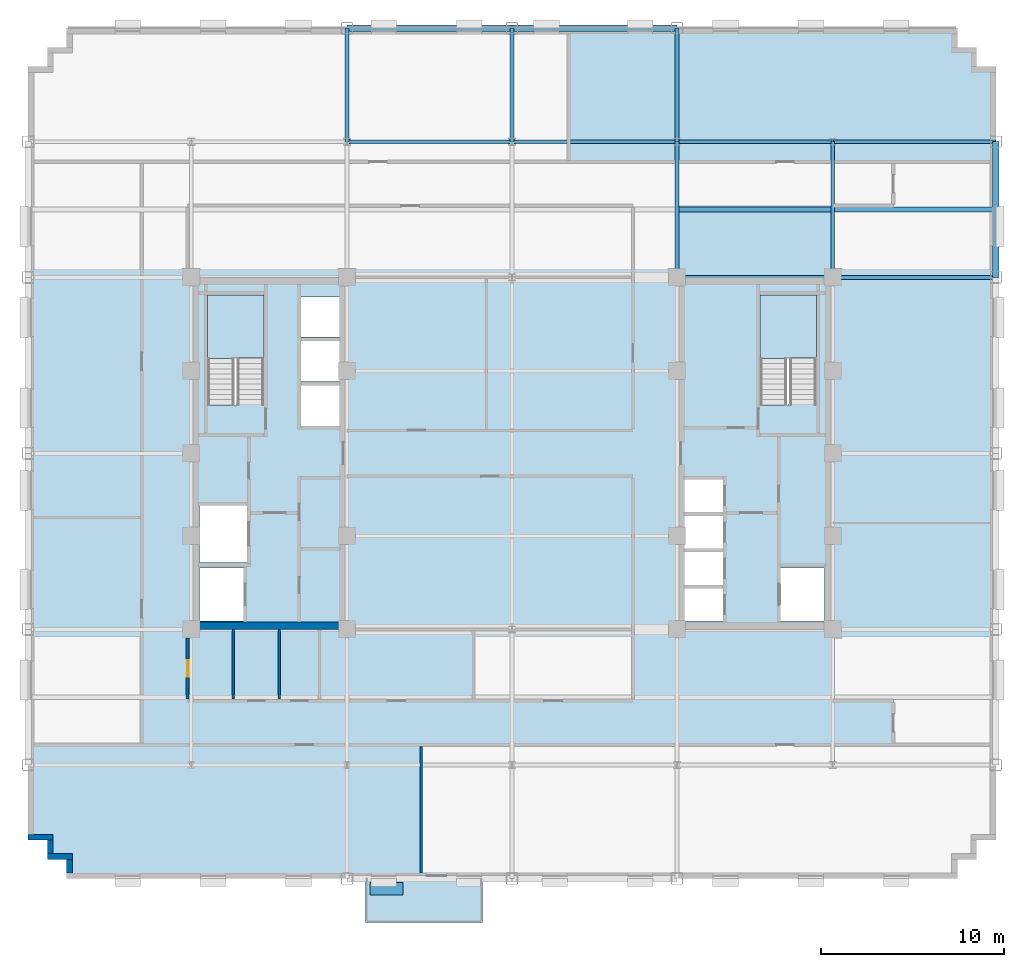
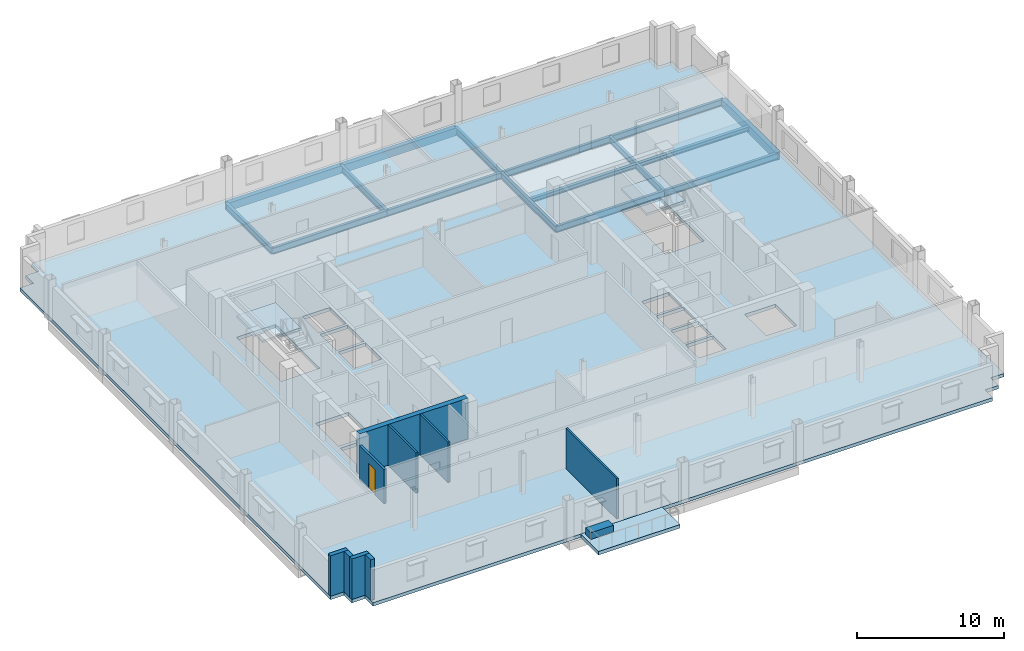
# One storey, part 5 of 14: 16 beams, 9 walls, 4 slabs, 1 door, 1 plate, 1 opening, 2 elements without a shape of their own.
"""IFC4 building model written with IfcOpenShell, lengths in metres."""

from ifc_helpers import new_model, si_unit, direction, frame, frame_2d, origin, origin_2d, place, context, subcontext, project, spatial, polyline, rectangle, i_section, outline, extrude, source, transform, mapped, material, layer, layer_set, material_profile, profile_set, type_object, type_shapes, element, fill, aggregate, save


model = new_model("IFC4")

# Units and contexts
model_context = context("Model", 3, precision=1e-05, world=origin(), true_north=direction((0.0, 1.0)))
body_context = subcontext(model_context, "Body", "Model", "MODEL_VIEW")
ifc_project = project(units=[si_unit("LENGTHUNIT", "METRE"), si_unit("AREAUNIT", "SQUARE_METRE"), si_unit("VOLUMEUNIT", "CUBIC_METRE"), si_unit("PLANEANGLEUNIT", "RADIAN"), si_unit("MASSUNIT", "GRAM", prefix="KILO")], contexts=[model_context])

# Site, building, storey
site_placement = place(None, origin())
site = spatial("IfcSite", under=ifc_project, at=site_placement, CompositionType="ELEMENT")
building_placement = place(site_placement, origin())
building = spatial("IfcBuilding", under=site, at=building_placement, Name="Nuvemarco Arch Tower", CompositionType="ELEMENT")
storey_placement = place(building_placement, frame((0.0, 0.0, 134.800048828125)))
storey = spatial("IfcBuildingStorey", under=building, at=storey_placement, Name="L35", CompositionType="ELEMENT", Elevation=134.800048828125)

# Beams
ifc_material_1 = material(Name="Steel S355", Category="steel")
ifc_material_profile_1 = material_profile(ifc_material_1, i_section(OverallWidth=0.2109375, OverallDepth=0.5390625, WebThickness=0.01171875, FlangeThickness=0.018798828125, FilletRadius=0.01611328125, at=origin_2d()), Name="W530x109")
ifc_profile_set_1 = profile_set([ifc_material_profile_1], Name="Steel S355")
beam_type_1 = type_object("IfcBeamType", Name="BM-GIRD-530", PredefinedType="BEAM", material=ifc_profile_set_1)
for number, where, z_axis, x_axis, name in (
    (1, (-9.0, 17.0, -0.549560546875), (0.0, 1.0, 0.0), (-1.0, 0.0, 0.0), "L35 structural beam BGNS_L35_0_-9.0_+17.0"),
    (2, (0.0, 17.0, -0.549560546875), (0.0, 1.0, 0.0), (-1.0, 0.0, 0.0), "L35 structural beam BGNS_L35_0_+0.0_+17.0"),
):
    element("IfcBeam", number, at=place(storey_placement, frame(where, z_axis=z_axis, x_axis=x_axis)), inside=storey, type_object=beam_type_1, Name=name, PredefinedType="BEAM", context=body_context, shape_type="SweptSolid", body=[
        extrude(i_section(OverallWidth=0.2109375, OverallDepth=0.5390625, WebThickness=0.01171875, FlangeThickness=0.018798828125, FilletRadius=0.01611328125, at=origin_2d()), origin(), (0.0, 0.0, 1.0), 6.199951171875),
    ])
beam_1_placement = place(storey_placement, frame((9.0, 9.60009765625, -0.549560546875), z_axis=(0.0, 1.0, 0.0), x_axis=(-1.0, 0.0, 0.0)))
element("IfcBeam", 3, at=beam_1_placement, inside=storey, type_object=beam_type_1, Name="L35 structural beam BGNS_L35_0_+9.0_+9.6", PredefinedType="BEAM", context=body_context, shape_type="SweptSolid", body=[
    extrude(i_section(OverallWidth=0.2109375, OverallDepth=0.5390625, WebThickness=0.01171875, FlangeThickness=0.018798828125, FilletRadius=0.01611328125, at=origin_2d()), origin(), (0.0, 0.0, 1.0), 7.39990234375),
])
beam_2_placement = place(storey_placement, frame((9.0, 17.0, -0.549560546875), z_axis=(0.0, 1.0, 0.0), x_axis=(-1.0, 0.0, 0.0)))
element("IfcBeam", 4, at=beam_2_placement, inside=storey, type_object=beam_type_1, Name="L35 structural beam BGNS_L35_0_+9.0_+17.0", PredefinedType="BEAM", context=body_context, shape_type="SweptSolid", body=[
    extrude(i_section(OverallWidth=0.2109375, OverallDepth=0.5390625, WebThickness=0.01171875, FlangeThickness=0.018798828125, FilletRadius=0.01611328125, at=origin_2d()), origin(), (0.0, 0.0, 1.0), 6.199951171875),
])
beam_3_placement = place(storey_placement, frame((17.5, 9.60009765625, -0.549560546875), z_axis=(0.0, 1.0, 0.0), x_axis=(-1.0, 0.0, 0.0)))
element("IfcBeam", 5, at=beam_3_placement, inside=storey, type_object=beam_type_1, Name="L35 structural beam BGNS_L35_0_+17.5_+9.6", PredefinedType="BEAM", context=body_context, shape_type="SweptSolid", body=[
    extrude(i_section(OverallWidth=0.2109375, OverallDepth=0.5390625, WebThickness=0.01171875, FlangeThickness=0.018798828125, FilletRadius=0.01611328125, at=origin_2d()), origin(), (0.0, 0.0, 1.0), 7.39990234375),
])
beam_4_placement = place(storey_placement, frame((9.0, 9.60009765625, -0.549560546875), z_axis=(1.0, 0.0, 0.0), x_axis=(0.0, 1.0, 0.0)))
element("IfcBeam", 6, at=beam_4_placement, inside=storey, type_object=beam_type_1, Name="L35 structural beam BGEW_L35_0_+9.6_+9.0", PredefinedType="BEAM", context=body_context, shape_type="SweptSolid", body=[
    extrude(i_section(OverallWidth=0.2109375, OverallDepth=0.5390625, WebThickness=0.01171875, FlangeThickness=0.018798828125, FilletRadius=0.01611328125, at=origin_2d()), origin(), (0.0, 0.0, 1.0), 8.5),
])
beam_5_placement = place(storey_placement, frame((17.5, 9.60009765625, -0.549560546875), z_axis=(1.0, 0.0, 0.0), x_axis=(0.0, 1.0, 0.0)))
element("IfcBeam", 7, at=beam_5_placement, inside=storey, type_object=beam_type_1, Name="L35 structural beam BGEW_L35_0_+9.6_+17.5", PredefinedType="BEAM", context=body_context, shape_type="SweptSolid", body=[
    extrude(i_section(OverallWidth=0.2109375, OverallDepth=0.5390625, WebThickness=0.01171875, FlangeThickness=0.018798828125, FilletRadius=0.01611328125, at=origin_2d()), origin(), (0.0, 0.0, 1.0), 8.89990234375),
])
for number, where, z_axis, x_axis, name in (
    (8, (-9.0, 17.0, -0.549560546875), (1.0, 0.0, 0.0), (0.0, 1.0, 0.0), "L35 structural beam BGEW_L35_0_+17.0_-9.0"),
    (9, (0.0, 17.0, -0.549560546875), (1.0, 0.0, 0.0), (0.0, 1.0, 0.0), "L35 structural beam BGEW_L35_0_+17.0_+0.0"),
):
    element("IfcBeam", number, at=place(storey_placement, frame(where, z_axis=z_axis, x_axis=x_axis)), inside=storey, type_object=beam_type_1, Name=name, PredefinedType="BEAM", context=body_context, shape_type="SweptSolid", body=[
        extrude(i_section(OverallWidth=0.2109375, OverallDepth=0.5390625, WebThickness=0.01171875, FlangeThickness=0.018798828125, FilletRadius=0.01611328125, at=origin_2d()), origin(), (0.0, 0.0, 1.0), 9.0),
    ])
beam_6_placement = place(storey_placement, frame((9.0, 17.0, -0.549560546875), z_axis=(1.0, 0.0, 0.0), x_axis=(0.0, 1.0, 0.0)))
element("IfcBeam", 10, at=beam_6_placement, inside=storey, type_object=beam_type_1, Name="L35 structural beam BGEW_L35_0_+17.0_+9.0", PredefinedType="BEAM", context=body_context, shape_type="SweptSolid", body=[
    extrude(i_section(OverallWidth=0.2109375, OverallDepth=0.5390625, WebThickness=0.01171875, FlangeThickness=0.018798828125, FilletRadius=0.01611328125, at=origin_2d()), origin(), (0.0, 0.0, 1.0), 8.5),
])
beam_7_placement = place(storey_placement, frame((17.5, 17.0, -0.549560546875), z_axis=(1.0, 0.0, 0.0), x_axis=(0.0, 1.0, 0.0)))
element("IfcBeam", 11, at=beam_7_placement, inside=storey, type_object=beam_type_1, Name="L35 structural beam BGEW_L35_0_+17.0_+17.5", PredefinedType="BEAM", context=body_context, shape_type="SweptSolid", body=[
    extrude(i_section(OverallWidth=0.2109375, OverallDepth=0.5390625, WebThickness=0.01171875, FlangeThickness=0.018798828125, FilletRadius=0.01611328125, at=origin_2d()), origin(), (0.0, 0.0, 1.0), 8.89990234375),
])
ifc_material_profile_2 = material_profile(ifc_material_1, i_section(OverallWidth=0.2548828125, OverallDepth=0.35693359375, WebThickness=0.010498046875, FlangeThickness=0.018310546875, FilletRadius=0.014892578125, at=origin_2d()), Name="W360x101")
ifc_profile_set_2 = profile_set([ifc_material_profile_2], Name="Steel S355")
beam_type_2 = type_object("IfcBeamType", Name="BM-JOIST-360H", PredefinedType="JOIST", material=ifc_profile_set_2)
beam_8_placement = place(storey_placement, frame((9.10546875, 13.300048828125, -0.45849609375), z_axis=(1.0, 0.0, 0.0), x_axis=(0.0, 1.0, 0.0)))
element("IfcBeam", 12, at=beam_8_placement, inside=storey, type_object=beam_type_2, Name="L35 structural beam BJ_L35_0_+13.3_+9.0", PredefinedType="JOIST", context=body_context, shape_type="SweptSolid", body=[
    extrude(i_section(OverallWidth=0.2548828125, OverallDepth=0.35693359375, WebThickness=0.010498046875, FlangeThickness=0.018310546875, FilletRadius=0.014892578125, at=origin_2d()), origin(), (0.0, 0.0, 1.0), 8.2890625),
])
beam_9_placement = place(storey_placement, frame((17.60546875, 13.300048828125, -0.45849609375), z_axis=(1.0, 0.0, 0.0), x_axis=(0.0, 1.0, 0.0)))
element("IfcBeam", 13, at=beam_9_placement, inside=storey, type_object=beam_type_2, Name="L35 structural beam BJ_L35_0_+13.3_+17.5", PredefinedType="JOIST", context=body_context, shape_type="SweptSolid", body=[
    extrude(i_section(OverallWidth=0.2548828125, OverallDepth=0.35693359375, WebThickness=0.010498046875, FlangeThickness=0.018310546875, FilletRadius=0.014892578125, at=origin_2d()), origin(), (0.0, 0.0, 1.0), 8.61962890625),
])
ifc_material_2 = material(Name="Precast concrete C45/55", Category="concrete")
ifc_material_profile_3 = material_profile(ifc_material_2, rectangle(XDim=0.35009765625, YDim=0.64990234375, at=origin_2d()), Name="PC-SP-350x650")
ifc_profile_set_3 = profile_set([ifc_material_profile_3], Name="Precast concrete C45/55")
beam_type_3 = type_object("IfcBeamType", Name="BM-SPAN-RC", PredefinedType="SPANDREL", material=ifc_profile_set_3)
beam_10_placement = place(storey_placement, frame((26.39990234375, 9.60009765625, -0.60498046875), z_axis=(0.0, 1.0, 0.0), x_axis=(-1.0, 0.0, 0.0)))
element("IfcBeam", 14, at=beam_10_placement, inside=storey, type_object=beam_type_3, Name="L35 structural beam BGNS_L35_0_+26.4_+9.6", PredefinedType="SPANDREL", context=body_context, shape_type="SweptSolid", body=[
    extrude(rectangle(XDim=0.35009765625, YDim=0.64990234375, at=origin_2d()), origin(), (0.0, 0.0, 1.0), 7.39990234375),
])
for number, where, z_axis, x_axis, name in (
    (15, (-9.0, 23.199951171875, -0.60498046875), (1.0, 0.0, 0.0), (0.0, 1.0, 0.0), "L35 structural beam BGEW_L35_0_+23.2_-9.0"),
    (16, (0.0, 23.199951171875, -0.60498046875), (1.0, 0.0, 0.0), (0.0, 1.0, 0.0), "L35 structural beam BGEW_L35_0_+23.2_+0.0"),
):
    element("IfcBeam", number, at=place(storey_placement, frame(where, z_axis=z_axis, x_axis=x_axis)), inside=storey, type_object=beam_type_3, Name=name, PredefinedType="SPANDREL", context=body_context, shape_type="SweptSolid", body=[
        extrude(rectangle(XDim=0.35009765625, YDim=0.64990234375, at=origin_2d()), origin(), (0.0, 0.0, 1.0), 9.0),
    ])

# Slab
ifc_material_3 = material(Name="Concrete C50/60", Category="concrete")
ifc_layer_1 = layer(ifc_material_3, 0.280029296875, Name="SL-FLR-280")
ifc_layer_set_1 = layer_set([ifc_layer_1], Name="Concrete C50/60")
slab_type_1 = type_object("IfcSlabType", Name="SL-FLR-280", PredefinedType="FLOOR", material=ifc_layer_set_1)
slab_1_placement = place(storey_placement, frame((0.0, 0.0, -0.280029296875)))
element("IfcSlab", 17, at=slab_1_placement, inside=storey, type_object=slab_type_1, Name="L35 structural floor slab", PredefinedType="FLOOR", context=body_context, shape_type="SweptSolid", body=[
    extrude(outline(polyline([(-24.300048828125, -23.199951171875), (24.300048828125, -23.199951171875), (24.300048828125, -22.14990234375), (25.35009765625, -22.14990234375), (25.35009765625, -21.10009765625), (26.39990234375, -21.10009765625), (26.39990234375, 21.10009765625), (25.35009765625, 21.10009765625), (25.35009765625, 22.14990234375), (24.300048828125, 22.14990234375), (24.300048828125, 23.199951171875), (-24.300048828125, 23.199951171875), (-24.300048828125, 22.14990234375), (-25.35009765625, 22.14990234375), (-25.35009765625, 21.10009765625), (-26.39990234375, 21.10009765625), (-26.39990234375, -21.10009765625), (-25.35009765625, -21.10009765625), (-25.35009765625, -22.14990234375), (-24.300048828125, -22.14990234375), (-24.300048828125, -23.199951171875)]), holes=[polyline([(-13.5400390625, 2.669921875), (-13.5400390625, 8.64990234375), (-16.60009765625, 8.64990234375), (-16.60009765625, 2.630615234375), (-15.070068359375, 2.630615234375), (-15.070068359375, 2.669921875), (-13.5400390625, 2.669921875)]), polyline([(16.60009765625, 2.669921875), (16.60009765625, 8.64990234375), (13.5400390625, 8.64990234375), (13.5400390625, 2.630615234375), (15.070068359375, 2.630615234375), (15.070068359375, 2.669921875), (16.60009765625, 2.669921875)]), polyline([(-17.050048828125, -9.14990234375), (-14.64990234375, -9.14990234375), (-14.64990234375, -6.25), (-17.050048828125, -6.25), (-17.050048828125, -9.14990234375)]), polyline([(-17.050048828125, -5.949951171875), (-14.449951171875, -5.949951171875), (-14.449951171875, -2.85009765625), (-17.050048828125, -2.85009765625), (-17.050048828125, -5.949951171875)]), polyline([(-11.5, 1.5), (-9.35009765625, 1.5), (-9.35009765625, 3.699951171875), (-11.5, 3.699951171875), (-11.5, 1.5)]), polyline([(-11.5, 3.919921875), (-9.35009765625, 3.919921875), (-9.35009765625, 6.1201171875), (-11.5, 6.1201171875), (-11.5, 3.919921875)]), polyline([(-11.5, 6.340087890625), (-9.35009765625, 6.340087890625), (-9.35009765625, 8.5400390625), (-11.5, 8.5400390625), (-11.5, 6.340087890625)]), polyline([(14.64990234375, -9.14990234375), (17.050048828125, -9.14990234375), (17.050048828125, -6.25), (14.64990234375, -6.25), (14.64990234375, -9.14990234375)]), polyline([(9.35009765625, -9.14990234375), (11.5, -9.14990234375), (11.5, -7.3701171875), (9.35009765625, -7.3701171875), (9.35009765625, -9.14990234375)]), polyline([(9.35009765625, -7.169921875), (11.5, -7.169921875), (11.5, -5.389892578125), (9.35009765625, -5.389892578125), (9.35009765625, -7.169921875)]), polyline([(9.35009765625, -5.18994140625), (11.5, -5.18994140625), (11.5, -3.409912109375), (9.35009765625, -3.409912109375), (9.35009765625, -5.18994140625)]), polyline([(9.35009765625, -3.2099609375), (11.5, -3.2099609375), (11.5, -1.429931640625), (9.35009765625, -1.429931640625), (9.35009765625, -3.2099609375)])]), origin(), (0.0, 0.0, 1.0), 0.280029296875),
])

# Stair, slab
stair_type = type_object("IfcStairType", Name="ST-CORE-20R", PredefinedType="HALF_TURN_STAIR", material=ifc_material_2)
stair_1_placement = place(storey_placement, origin())
stair_1 = element("IfcStair", 18, at=stair_1_placement, inside=storey, type_object=stair_type, Name="L35 Protected Exit Stair ST-1", PredefinedType="HALF_TURN_STAIR")
ifc_layer_2 = layer(ifc_material_2, 0.199951171875, Name="SL-LANDING-200")
ifc_layer_set_2 = layer_set([ifc_layer_2], Name="Precast concrete C45/55")
slab_type_2 = type_object("IfcSlabType", Name="SL-LANDING-200", PredefinedType="LANDING", material=ifc_layer_set_2)
slab_2_placement = place(storey_placement, frame((0.0, 0.0, 1.625)))
slab_2 = element("IfcSlab", 19, at=slab_2_placement, type_object=slab_type_2, Name="ST-20R landing 1", PredefinedType="LANDING", context=body_context, shape_type="SweptSolid", body=[
    extrude(outline(polyline([(-13.5400390625, 5.189453125), (-13.5400390625, 8.64990234375), (-16.60009765625, 8.64990234375), (-16.60009765625, 5.169921875), (-15.070068359375, 5.169921875), (-15.070068359375, 5.189453125), (-13.5400390625, 5.189453125)])), origin(), (0.0, 0.0, 1.0), 0.199951171875),
])
aggregate(stair_1, [slab_2])

stair_2_placement = place(storey_placement, origin())
stair_2 = element("IfcStair", 20, at=stair_2_placement, inside=storey, type_object=stair_type, Name="L35 Protected Exit Stair ST-2", PredefinedType="HALF_TURN_STAIR")
slab_3_placement = place(storey_placement, frame((0.0, 0.0, 1.625)))
slab_3 = element("IfcSlab", 21, at=slab_3_placement, type_object=slab_type_2, Name="ST-20R landing 1", PredefinedType="LANDING", context=body_context, shape_type="SweptSolid", body=[
    extrude(outline(polyline([(16.60009765625, 5.189453125), (16.60009765625, 8.64990234375), (13.5400390625, 8.64990234375), (13.5400390625, 5.169921875), (15.070068359375, 5.169921875), (15.070068359375, 5.189453125), (16.60009765625, 5.189453125)])), origin(), (0.0, 0.0, 1.0), 0.199951171875),
])
aggregate(stair_2, [slab_3])

# Slab
ifc_layer_3 = layer(ifc_material_3, 0.294921875, Name="SL-TR4")
ifc_layer_set_3 = layer_set([ifc_layer_3], Name="Concrete C50/60")
slab_type_3 = type_object("IfcSlabType", Name="SL-TR4", PredefinedType="FLOOR", material=ifc_layer_set_3)
slab_4_placement = place(storey_placement, frame((0.0, 0.0, -0.295166015625)))
element("IfcSlab", 22, at=slab_4_placement, inside=storey, type_object=slab_type_3, Name="L35 outdoor spiral terrace slab 1", PredefinedType="FLOOR", context=body_context, shape_type="SweptSolid", body=[
    extrude(outline(polyline([(-8.0, -25.60009765625), (-1.60009765625, -25.60009765625), (-1.60009765625, -23.199951171875), (-8.0, -23.199951171875), (-8.0, -25.60009765625)])), origin(), (0.0, 0.0, 1.0), 0.295166015625),
])

# Plate
ifc_layer_4 = layer(ifc_material_2, 0.550048828125, Name="Tree Balcony Structural Planter")
ifc_layer_set_4 = layer_set([ifc_layer_4], Name="Precast concrete C45/55")
plate_type = type_object("IfcPlateType", Name="Tree Balcony Structural Planter", PredefinedType="USERDEFINED", material=ifc_layer_set_4)
shared_shape_1 = source(origin(), body_context, "Body", "SweptSolid", [
    extrude(rectangle(XDim=1.800048828125, YDim=0.699951171875, at=origin_2d()), origin(), (0.0, 0.0, 1.0), 0.550048828125),
])
type_shapes(plate_type, [shared_shape_1])
plate_placement = place(storey_placement, frame((-6.85009765625, -23.75, 0.0), z_axis=(0.0, 0.0, 1.0), x_axis=(1.0, 0.0, 0.0)))
element("IfcPlate", 23, at=plate_placement, inside=storey, type_object=plate_type, Name="L35 Tree Balcony Structural Planter", ObjectType="PLANTER", PredefinedType="USERDEFINED", context=body_context, shape_type="MappedRepresentation", body=[
    mapped(shared_shape_1, transform((0.0, 0.0, 0.0), scale=1.0)),
])

# Walls
ifc_layer_5 = layer(ifc_material_2, 0.320068359375, Name="EW-MID-320")
ifc_layer_set_5 = layer_set([ifc_layer_5], Name="Precast concrete C45/55")
wall_type_1 = type_object("IfcWallType", Name="EW-MID-320", PredefinedType="STANDARD", material=ifc_layer_set_5)
wall_1_placement = place(storey_placement, frame((-26.39990234375, -20.93994140625, 0.0), z_axis=(0.0, 0.0, 1.0), x_axis=(1.0, 0.0, 0.0)))
element("IfcWall", 24, at=wall_1_placement, inside=storey, type_object=wall_type_1, Name="L35 exterior precast facade wall 17", PredefinedType="STANDARD", context=body_context, shape_type="SweptSolid", body=[
    extrude(rectangle(XDim=1.369873046875, YDim=0.320068359375, at=frame_2d((0.68505859375, 0.0))), origin(), (0.0, 0.0, 1.0), 3.35986328125),
])
wall_2_placement = place(storey_placement, frame((-25.18994140625, -21.833984375, 0.0), z_axis=(0.0, 0.0, 1.0), x_axis=(0.0, 1.0, 0.0)))
element("IfcWall", 25, at=wall_2_placement, inside=storey, type_object=wall_type_1, Name="L35 exterior precast facade wall 18", PredefinedType="STANDARD", context=body_context, shape_type="SweptSolid", body=[
    extrude(rectangle(XDim=0.738037109375, YDim=0.320068359375, at=frame_2d((0.369140625, 0.0))), origin(), (0.0, 0.0, 1.0), 3.35986328125),
])
wall_3_placement = place(storey_placement, frame((-25.35009765625, -21.989990234375, 0.0), z_axis=(0.0, 0.0, 1.0), x_axis=(1.0, 0.0, 0.0)))
element("IfcWall", 26, at=wall_3_placement, inside=storey, type_object=wall_type_1, Name="L35 exterior precast facade wall 19", PredefinedType="STANDARD", context=body_context, shape_type="SweptSolid", body=[
    extrude(rectangle(XDim=1.3701171875, YDim=0.320068359375, at=frame_2d((0.68505859375, 0.0))), origin(), (0.0, 0.0, 1.0), 3.35986328125),
])
wall_4_placement = place(storey_placement, frame((-24.139892578125, -22.884033203125, 0.0), z_axis=(0.0, 0.0, 1.0), x_axis=(0.0, 1.0, 0.0)))
element("IfcWall", 27, at=wall_4_placement, inside=storey, type_object=wall_type_1, Name="L35 exterior precast facade wall 20", PredefinedType="STANDARD", context=body_context, shape_type="SweptSolid", body=[
    extrude(rectangle(XDim=0.738037109375, YDim=0.320068359375, at=frame_2d((0.369140625, 0.0))), origin(), (0.0, 0.0, 1.0), 3.35986328125),
])
ifc_material_4 = material(Name="Concrete C60/75", Category="concrete")
ifc_layer_6 = layer(ifc_material_4, 0.39990234375, Name="WL-CORE-400")
ifc_layer_set_6 = layer_set([ifc_layer_6], Name="Concrete C60/75")
wall_type_2 = type_object("IfcWallType", Name="WL-CORE-400", PredefinedType="SHEAR", material=ifc_layer_set_6)
wall_5_placement = place(storey_placement, frame((-17.5, -9.39990234375, 0.0), z_axis=(0.0, 0.0, 1.0), x_axis=(1.0, 0.0, 0.0)))
element("IfcWall", 28, at=wall_5_placement, inside=storey, type_object=wall_type_2, Name="L35 W-core shear wall S", PredefinedType="SHEAR", context=body_context, shape_type="SweptSolid", body=[
    extrude(rectangle(XDim=8.5, YDim=0.39990234375, at=frame_2d((4.25, 0.0))), origin(), (0.0, 0.0, 1.0), 3.369873046875),
])

# Wall, opening, door
ifc_material_5 = material(Name="Fire-rated gypsum drywall partition")
ifc_layer_7 = layer(ifc_material_5, 0.179931640625, Name="WL-CORR-180")
ifc_layer_set_7 = layer_set([ifc_layer_7], Name="Fire-rated gypsum drywall partition")
wall_type_3 = type_object("IfcWallType", Name="WL-CORR-180", PredefinedType="PARTITIONING", material=ifc_layer_set_7)
wall_6_placement = place(storey_placement, frame((-17.699951171875, -13.4140625, 0.0), z_axis=(0.0, 0.0, 1.0), x_axis=(0.0, 1.0, 0.0)))
wall_6 = element("IfcWall", 29, at=wall_6_placement, inside=storey, type_object=wall_type_3, Name="L35 interior wall IW-L35-016", PredefinedType="PARTITIONING", context=body_context, shape_type="SweptSolid", body=[
    extrude(rectangle(XDim=3.343017578125, YDim=0.179931640625, at=frame_2d((1.67138671875, 0.0))), origin(), (0.0, 0.0, 1.0), 2.81591796875),
])
opening_placement = place(wall_6_placement, frame((1.221435546875, 0.0, 0.0)))
opening = element("IfcOpeningElement", 30, at=opening_placement, cuts=wall_6, Name="Opening ID-3", PredefinedType="OPENING", context=body_context, shape_type="SweptSolid", body=[
    extrude(rectangle(XDim=0.89990234375, YDim=2.10009765625, at=frame_2d((0.449951171875, 1.050048828125))), frame((0.0, 0.099853515625, 0.0), z_axis=(0.0, -1.0, 0.0), x_axis=(1.0, 0.0, 0.0)), (0.0, 0.0, 1.0), 0.199951171875),
])
ifc_material_6 = material(Name="Veneered oak timber fire door", Category="wood")
door_type = type_object("IfcDoorType", Name="DR-WC-ACC", OperationType="NOTDEFINED", PredefinedType="DOOR", material=ifc_material_6)
shared_shape_2 = source(origin(), body_context, "Body", "SweptSolid", [
    extrude(rectangle(XDim=0.89990234375, YDim=2.10009765625, at=frame_2d((0.449951171875, 1.050048828125))), frame((0.0, 0.02490234375, 0.0), z_axis=(0.0, -1.0, 0.0), x_axis=(1.0, 0.0, 0.0)), (0.0, 0.0, 1.0), 0.050048828125),
])
type_shapes(door_type, [shared_shape_2])
door_placement = place(opening_placement, origin())
door = element("IfcDoor", 31, at=door_placement, inside=storey, type_object=door_type, Name="L35 door DR-L35-WC_M", OperationType="SINGLE_SWING_RIGHT", OverallHeight=2.10009765625, OverallWidth=0.89990234375, PredefinedType="DOOR", context=body_context, shape_type="MappedRepresentation", body=[
    mapped(shared_shape_2, transform((0.0, 0.0, 0.0), scale=1.0)),
])
fill(opening, door)

# Walls
ifc_material_7 = material(Name="Gypsum plasterboard partition")
ifc_layer_8 = layer(ifc_material_7, 0.139892578125, Name="WL-ROOM-140")
ifc_layer_set_8 = layer_set([ifc_layer_8], Name="Gypsum plasterboard partition")
wall_type_4 = type_object("IfcWallType", Name="WL-ROOM-140", PredefinedType="PARTITIONING", material=ifc_layer_set_8)
wall_7_placement = place(storey_placement, frame((-4.93994140625, -22.8798828125, 0.0), z_axis=(0.0, 0.0, 1.0), x_axis=(0.0, 1.0, 0.0)))
element("IfcWall", 32, at=wall_7_placement, inside=storey, type_object=wall_type_4, Name="L35 interior wall IW-L35-021", PredefinedType="PARTITIONING", context=body_context, shape_type="SweptSolid", body=[
    extrude(rectangle(XDim=6.893798828125, YDim=0.139892578125, at=frame_2d((3.44677734375, 0.0))), origin(), (0.0, 0.0, 1.0), 3.35986328125),
])
ifc_material_8 = material(Name="Moisture-resistant gypsum partition")
ifc_layer_9 = layer(ifc_material_8, 0.14990234375, Name="WL-WET-150")
ifc_layer_set_9 = layer_set([ifc_layer_9], Name="Moisture-resistant gypsum partition")
wall_type_5 = type_object("IfcWallType", Name="WL-WET-150", PredefinedType="PARTITIONING", material=ifc_layer_set_9)
for number, where, z_axis, x_axis, name in (
    (33, (-15.199951171875, -13.4140625, 0.0), (0.0, 0.0, 1.0), (0.0, 1.0, 0.0), "L35 interior wall IW-L35-018"),
    (34, (-12.699951171875, -13.4140625, 0.0), (0.0, 0.0, 1.0), (0.0, 1.0, 0.0), "L35 interior wall IW-L35-019"),
):
    element("IfcWall", number, at=place(storey_placement, frame(where, z_axis=z_axis, x_axis=x_axis)), inside=storey, type_object=wall_type_5, Name=name, PredefinedType="PARTITIONING", context=body_context, shape_type="SweptSolid", body=[
        extrude(rectangle(XDim=3.81396484375, YDim=0.14990234375, at=frame_2d((1.906982421875, 0.0))), origin(), (0.0, 0.0, 1.0), 3.35986328125),
    ])

save(model, "model.ifc")
